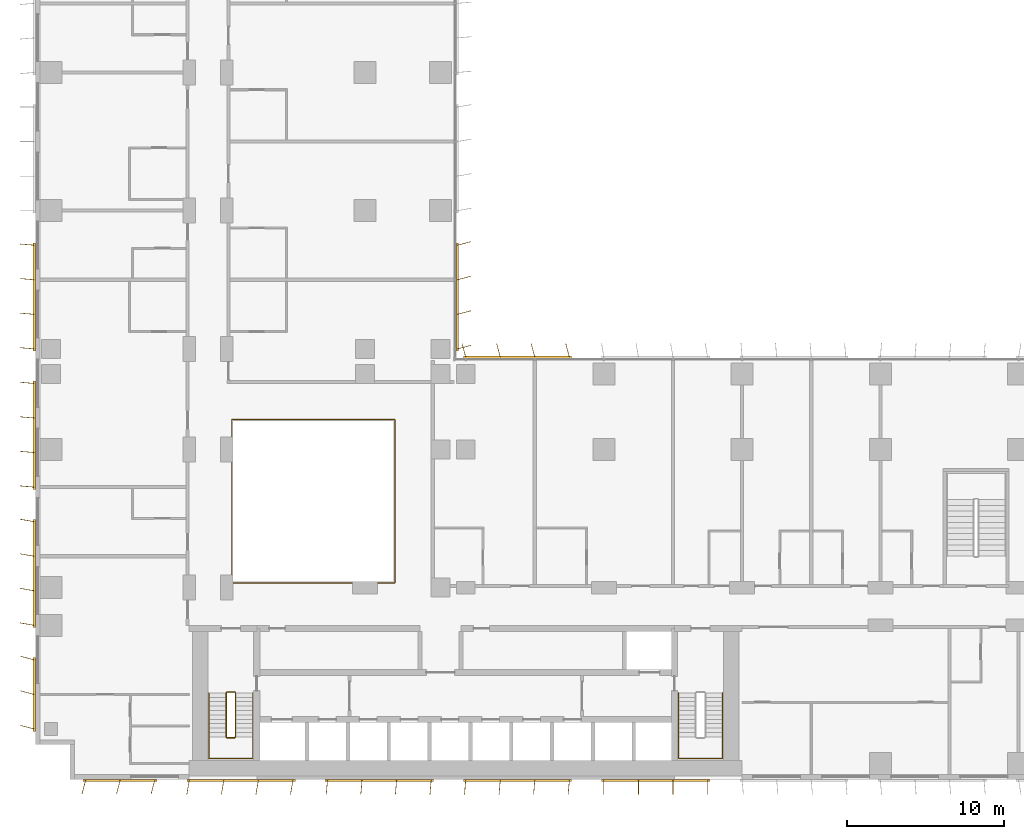
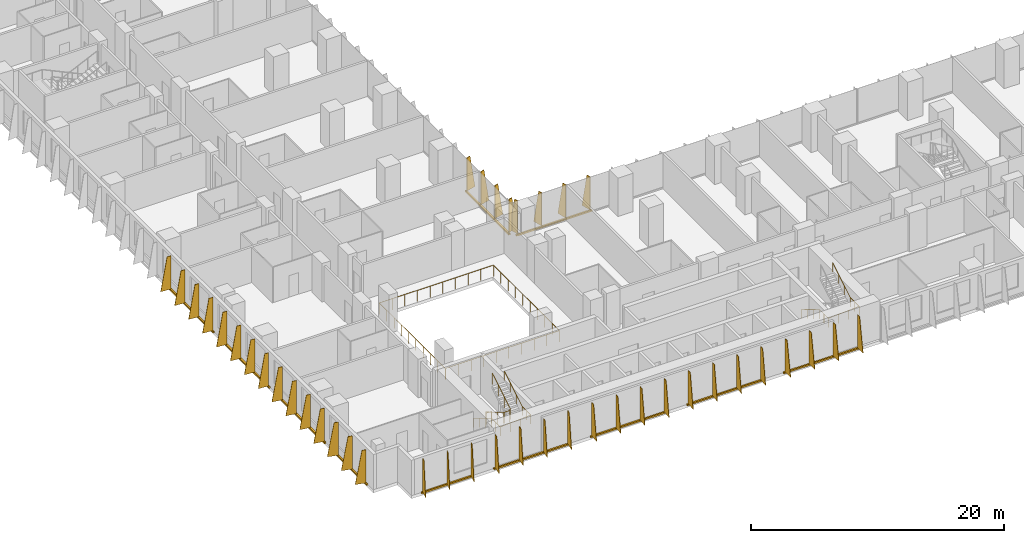
# One storey, part 21 of 24: 11 shading devices, 4 railings.
"""IFC4 building model written with IfcOpenShell, lengths in metres."""

from ifc_helpers import new_model, si_unit, direction, frame, origin, origin_2d, place, context, subcontext, project, spatial, polyline, rectangle, circle, outline, extrude, source, transform, mapped, material, layer, layer_set, type_object, element, save


model = new_model("IFC4")

# Units and contexts
model_context = context("Model", 3, precision=1e-05, world=origin(), true_north=direction((0.0, 1.0)))
body_context = subcontext(model_context, "Body", "Model", "MODEL_VIEW")
ifc_project = project(units=[si_unit("LENGTHUNIT", "METRE"), si_unit("AREAUNIT", "SQUARE_METRE"), si_unit("VOLUMEUNIT", "CUBIC_METRE"), si_unit("PLANEANGLEUNIT", "RADIAN"), si_unit("MASSUNIT", "GRAM", prefix="KILO")], contexts=[model_context])

# Site, building, storey
site_placement = place(None, origin())
site = spatial("IfcSite", under=ifc_project, at=site_placement, CompositionType="ELEMENT")
building_placement = place(site_placement, origin())
building = spatial("IfcBuilding", under=site, at=building_placement, Name="Kemantara Hotel Tower", CompositionType="ELEMENT")
storey_placement = place(building_placement, frame((0.0, 0.0, 52.5)))
storey = spatial("IfcBuildingStorey", under=building, at=storey_placement, Name="L11", CompositionType="ELEMENT", Elevation=52.5)

# Railings
ifc_material_1 = material(Name="Stainless steel and laminated glass balustrade", Category="steel")
railing_type_1 = type_object("IfcRailingType", Name="ATRIUM GUARD 1100", PredefinedType="GUARDRAIL", material=ifc_material_1)
railing_1_placement = place(storey_placement, frame((12.56005859375, 12.5, 0.0)))
element("IfcRailing", 1, at=railing_1_placement, inside=storey, type_object=railing_type_1, Name="ATRIUM GUARD L11", PredefinedType="GUARDRAIL", context=body_context, shape_type="SweptSolid", body=[
    extrude(circle(Radius=0.02490234375, at=origin_2d()), frame((0.0, 0.0, 1.0751953125), z_axis=(1.0, 0.0, 0.0), x_axis=(0.0, 1.0, 0.0)), (0.0, 0.0, 1.0), 10.33984375),
    extrude(circle(Radius=0.02490234375, at=origin_2d()), frame((10.33984375, 0.0, 1.0751953125), z_axis=(0.0, 1.0, 0.0), x_axis=(-1.0, 0.0, 0.0)), (0.0, 0.0, 1.0), 10.39990234375),
    extrude(circle(Radius=0.02490234375, at=origin_2d()), frame((10.33984375, 10.39990234375, 1.0751953125), z_axis=(-1.0, 0.0, 0.0), x_axis=(0.0, -1.0, 0.0)), (0.0, 0.0, 1.0), 10.39990234375),
    extrude(circle(Radius=0.02490234375, at=origin_2d()), frame((-0.06005859375, 10.39990234375, 1.0751953125), z_axis=(0.0, -1.0, 0.0), x_axis=(1.0, 0.0, 0.0)), (0.0, 0.0, 1.0), 10.39990234375),
    extrude(circle(Radius=0.02001953125, at=origin_2d()), origin(), (0.0, 0.0, 1.0), 1.050048828125),
    extrude(circle(Radius=0.02001953125, at=origin_2d()), frame((1.14892578125, 0.0, 0.0)), (0.0, 0.0, 1.0), 1.050048828125),
    extrude(circle(Radius=0.02001953125, at=origin_2d()), frame((2.2978515625, 0.0, 0.0)), (0.0, 0.0, 1.0), 1.050048828125),
    extrude(circle(Radius=0.02001953125, at=origin_2d()), frame((3.446533203125, 0.0, 0.0)), (0.0, 0.0, 1.0), 1.050048828125),
    extrude(circle(Radius=0.02001953125, at=origin_2d()), frame((4.595458984375, 0.0, 0.0)), (0.0, 0.0, 1.0), 1.050048828125),
    extrude(circle(Radius=0.02001953125, at=origin_2d()), frame((5.744384765625, 0.0, 0.0)), (0.0, 0.0, 1.0), 1.050048828125),
    extrude(circle(Radius=0.02001953125, at=origin_2d()), frame((6.893310546875, 0.0, 0.0)), (0.0, 0.0, 1.0), 1.050048828125),
    extrude(circle(Radius=0.02001953125, at=origin_2d()), frame((8.0419921875, 0.0, 0.0)), (0.0, 0.0, 1.0), 1.050048828125),
    extrude(circle(Radius=0.02001953125, at=origin_2d()), frame((9.19091796875, 0.0, 0.0)), (0.0, 0.0, 1.0), 1.050048828125),
    extrude(circle(Radius=0.02001953125, at=origin_2d()), frame((10.33984375, 0.0, 0.0)), (0.0, 0.0, 1.0), 1.050048828125),
    extrude(circle(Radius=0.02001953125, at=origin_2d()), frame((10.33984375, 1.155517578125, 0.0)), (0.0, 0.0, 1.0), 1.050048828125),
    extrude(circle(Radius=0.02001953125, at=origin_2d()), frame((10.33984375, 2.31103515625, 0.0)), (0.0, 0.0, 1.0), 1.050048828125),
    extrude(circle(Radius=0.02001953125, at=origin_2d()), frame((10.33984375, 3.466552734375, 0.0)), (0.0, 0.0, 1.0), 1.050048828125),
    extrude(circle(Radius=0.02001953125, at=origin_2d()), frame((10.33984375, 4.6220703125, 0.0)), (0.0, 0.0, 1.0), 1.050048828125),
    extrude(circle(Radius=0.02001953125, at=origin_2d()), frame((10.33984375, 5.77783203125, 0.0)), (0.0, 0.0, 1.0), 1.050048828125),
    extrude(circle(Radius=0.02001953125, at=origin_2d()), frame((10.33984375, 6.933349609375, 0.0)), (0.0, 0.0, 1.0), 1.050048828125),
    extrude(circle(Radius=0.02001953125, at=origin_2d()), frame((10.33984375, 8.0888671875, 0.0)), (0.0, 0.0, 1.0), 1.050048828125),
    extrude(circle(Radius=0.02001953125, at=origin_2d()), frame((10.33984375, 9.244384765625, 0.0)), (0.0, 0.0, 1.0), 1.050048828125),
    extrude(circle(Radius=0.02001953125, at=origin_2d()), frame((10.33984375, 10.39990234375, 0.0)), (0.0, 0.0, 1.0), 1.050048828125),
    extrude(circle(Radius=0.02001953125, at=origin_2d()), frame((9.184326171875, 10.39990234375, 0.0)), (0.0, 0.0, 1.0), 1.050048828125),
    extrude(circle(Radius=0.02001953125, at=origin_2d()), frame((8.02880859375, 10.39990234375, 0.0)), (0.0, 0.0, 1.0), 1.050048828125),
    extrude(circle(Radius=0.02001953125, at=origin_2d()), frame((6.873291015625, 10.39990234375, 0.0)), (0.0, 0.0, 1.0), 1.050048828125),
    extrude(circle(Radius=0.02001953125, at=origin_2d()), frame((5.7177734375, 10.39990234375, 0.0)), (0.0, 0.0, 1.0), 1.050048828125),
    extrude(circle(Radius=0.02001953125, at=origin_2d()), frame((4.56201171875, 10.39990234375, 0.0)), (0.0, 0.0, 1.0), 1.050048828125),
    extrude(circle(Radius=0.02001953125, at=origin_2d()), frame((3.406494140625, 10.39990234375, 0.0)), (0.0, 0.0, 1.0), 1.050048828125),
    extrude(circle(Radius=0.02001953125, at=origin_2d()), frame((2.2509765625, 10.39990234375, 0.0)), (0.0, 0.0, 1.0), 1.050048828125),
    extrude(circle(Radius=0.02001953125, at=origin_2d()), frame((1.095458984375, 10.39990234375, 0.0)), (0.0, 0.0, 1.0), 1.050048828125),
    extrude(circle(Radius=0.02001953125, at=origin_2d()), frame((-0.06005859375, 10.39990234375, 0.0)), (0.0, 0.0, 1.0), 1.050048828125),
    extrude(circle(Radius=0.02001953125, at=origin_2d()), frame((-0.06005859375, 9.244384765625, 0.0)), (0.0, 0.0, 1.0), 1.050048828125),
    extrude(circle(Radius=0.02001953125, at=origin_2d()), frame((-0.06005859375, 8.0888671875, 0.0)), (0.0, 0.0, 1.0), 1.050048828125),
    extrude(circle(Radius=0.02001953125, at=origin_2d()), frame((-0.06005859375, 6.933349609375, 0.0)), (0.0, 0.0, 1.0), 1.050048828125),
    extrude(circle(Radius=0.02001953125, at=origin_2d()), frame((-0.06005859375, 5.77783203125, 0.0)), (0.0, 0.0, 1.0), 1.050048828125),
    extrude(circle(Radius=0.02001953125, at=origin_2d()), frame((-0.06005859375, 4.6220703125, 0.0)), (0.0, 0.0, 1.0), 1.050048828125),
    extrude(circle(Radius=0.02001953125, at=origin_2d()), frame((-0.06005859375, 3.466552734375, 0.0)), (0.0, 0.0, 1.0), 1.050048828125),
    extrude(circle(Radius=0.02001953125, at=origin_2d()), frame((-0.06005859375, 2.31103515625, 0.0)), (0.0, 0.0, 1.0), 1.050048828125),
    extrude(circle(Radius=0.02001953125, at=origin_2d()), frame((-0.06005859375, 1.155517578125, 0.0)), (0.0, 0.0, 1.0), 1.050048828125),
    extrude(circle(Radius=0.02001953125, at=origin_2d()), frame((-0.06005859375, 0.0, 0.0)), (0.0, 0.0, 1.0), 1.050048828125),
])
ifc_material_2 = material(Name="Stainless steel balustrade", Category="steel")
railing_type_2 = type_object("IfcRailingType", Name="Stair guard 1100 mm", PredefinedType="GUARDRAIL", material=ifc_material_2)
railing_2_placement = place(storey_placement, frame((12.75, 5.5, 3.699951171875)))
element("IfcRailing", 2, at=railing_2_placement, inside=storey, type_object=railing_type_2, Name="L11 ST1 stair guard 1", PredefinedType="GUARDRAIL", context=body_context, shape_type="SweptSolid", body=[
    extrude(circle(Radius=0.02392578125, at=origin_2d()), frame((0.0, 0.0, 1.076171875), z_axis=(0.0, -0.857242210791, -0.514913383045), x_axis=(1.0, 0.0, 0.0)), (0.0, 0.0, 1.0), 3.266357421875),
    extrude(circle(Radius=0.02392578125, at=origin_2d()), frame((0.0, -2.800048828125, -0.60595703125), z_axis=(-0.274582412415, -0.274582412415, -0.921525364591), x_axis=(0.707106781187, -0.707106781187, 0.0)), (0.0, 0.0, 1.0), 0.182373046875),
    extrude(circle(Radius=0.02392578125, at=origin_2d()), frame((-0.050048828125, -2.85009765625, -0.77392578125), z_axis=(-1.0, 0.0, 0.0), x_axis=(0.0, -1.0, 0.0)), (0.0, 0.0, 1.0), 0.5),
    extrude(circle(Radius=0.02392578125, at=origin_2d()), frame((-0.550048828125, -2.85009765625, -0.77392578125), z_axis=(-0.707106781187, 0.707106781187, 0.0), x_axis=(-0.707106781187, -0.707106781187, 0.0)), (0.0, 0.0, 1.0), 0.07080078125),
    extrude(circle(Radius=0.02392578125, at=origin_2d()), frame((-0.60009765625, -2.800048828125, -0.77392578125), z_axis=(0.0, 0.857242210791, -0.514913383045), x_axis=(-1.0, 0.0, 0.0)), (0.0, 0.0, 1.0), 3.266357421875),
    extrude(circle(Radius=0.02392578125, at=origin_2d()), frame((-0.60009765625, 0.0, -2.45556640625), z_axis=(0.274243871929, 0.274243871929, -0.92172696468), x_axis=(-0.707106781187, 0.707106781187, 0.0)), (0.0, 0.0, 1.0), 0.1826171875),
    extrude(circle(Radius=0.02392578125, at=origin_2d()), frame((-0.550048828125, 0.050048828125, -2.6240234375), z_axis=(1.0, 0.0, 0.0), x_axis=(0.0, 1.0, 0.0)), (0.0, 0.0, 1.0), 0.5),
    extrude(circle(Radius=0.02099609375, at=origin_2d()), origin(), (0.0, 0.0, 1.0), 1.052001953125),
    extrude(circle(Radius=0.02099609375, at=origin_2d()), frame((0.0, -0.933349609375, -0.560546875)), (0.0, 0.0, 1.0), 1.052001953125),
    extrude(circle(Radius=0.02099609375, at=origin_2d()), frame((0.0, -1.86669921875, -1.121337890625)), (0.0, 0.0, 1.0), 1.052001953125),
    extrude(circle(Radius=0.02099609375, at=origin_2d()), frame((0.0, -2.800048828125, -1.681884765625)), (0.0, 0.0, 1.0), 1.052001953125),
    extrude(circle(Radius=0.02099609375, at=origin_2d()), frame((-0.050048828125, -2.85009765625, -1.849853515625)), (0.0, 0.0, 1.0), 1.052001953125),
    extrude(circle(Radius=0.02099609375, at=origin_2d()), frame((-0.550048828125, -2.85009765625, -1.849853515625)), (0.0, 0.0, 1.0), 1.052001953125),
    extrude(circle(Radius=0.02099609375, at=origin_2d()), frame((-0.60009765625, -2.800048828125, -1.849853515625)), (0.0, 0.0, 1.0), 1.052001953125),
    extrude(circle(Radius=0.02099609375, at=origin_2d()), frame((-0.60009765625, -1.86669921875, -2.410400390625)), (0.0, 0.0, 1.0), 1.052001953125),
    extrude(circle(Radius=0.02099609375, at=origin_2d()), frame((-0.60009765625, -0.933349609375, -2.97119140625)), (0.0, 0.0, 1.0), 1.052001953125),
    extrude(circle(Radius=0.02099609375, at=origin_2d()), frame((-0.60009765625, 0.0, -3.53173828125)), (0.0, 0.0, 1.0), 1.052001953125),
    extrude(circle(Radius=0.02099609375, at=origin_2d()), frame((-0.550048828125, 0.050048828125, -3.699951171875)), (0.0, 0.0, 1.0), 1.052001953125),
    extrude(circle(Radius=0.02099609375, at=origin_2d()), frame((-0.050048828125, 0.050048828125, -3.699951171875)), (0.0, 0.0, 1.0), 1.052001953125),
])
railing_type_3 = type_object("IfcRailingType", Name="Stair handrail 900 mm", PredefinedType="HANDRAIL", material=ifc_material_2)
railing_3_placement = place(storey_placement, frame((11.050048828125, 5.5, 0.168212890625)))
element("IfcRailing", 3, at=railing_3_placement, inside=storey, type_object=railing_type_3, Name="L11 ST1 stair handrail 1", PredefinedType="HANDRAIL", context=body_context, shape_type="SweptSolid", body=[
    extrude(circle(Radius=0.02392578125, at=origin_2d()), frame((0.0, 0.0, 0.8759765625), z_axis=(0.0, -0.857242210791, 0.514913383045), x_axis=(1.0, 0.0, 0.0)), (0.0, 0.0, 1.0), 3.266357421875),
    extrude(circle(Radius=0.02392578125, at=origin_2d()), frame((0.0, -2.800048828125, 2.5576171875), z_axis=(0.0, -1.0, 0.0), x_axis=(1.0, 0.0, 0.0)), (0.0, 0.0, 1.0), 1.3798828125),
    extrude(circle(Radius=0.02392578125, at=origin_2d()), frame((0.0, -4.179931640625, 2.5576171875), z_axis=(0.998205573864, 0.0, 0.059880149518), x_axis=(0.0, 1.0, 0.0)), (0.0, 0.0, 1.0), 2.80517578125),
    extrude(circle(Radius=0.02392578125, at=origin_2d()), frame((2.800048828125, -4.179931640625, 2.7255859375), z_axis=(0.0, 1.0, 0.0), x_axis=(-1.0, 0.0, 0.0)), (0.0, 0.0, 1.0), 1.3798828125),
    extrude(circle(Radius=0.02392578125, at=origin_2d()), frame((2.800048828125, -2.800048828125, 2.7255859375), z_axis=(0.0, 0.857242210791, 0.514913383045), x_axis=(-1.0, 0.0, 0.0)), (0.0, 0.0, 1.0), 3.266357421875),
    extrude(circle(Radius=0.02099609375, at=origin_2d()), origin(), (0.0, 0.0, 1.0), 0.851806640625),
    extrude(circle(Radius=0.02099609375, at=origin_2d()), frame((0.0, -0.933349609375, 0.560546875)), (0.0, 0.0, 1.0), 0.851806640625),
    extrude(circle(Radius=0.02099609375, at=origin_2d()), frame((0.0, -1.86669921875, 1.121337890625)), (0.0, 0.0, 1.0), 0.851806640625),
    extrude(circle(Radius=0.02099609375, at=origin_2d()), frame((0.0, -2.800048828125, 1.681884765625)), (0.0, 0.0, 1.0), 0.851806640625),
    extrude(circle(Radius=0.02099609375, at=origin_2d()), frame((0.0, -3.489990234375, 1.681884765625)), (0.0, 0.0, 1.0), 0.851806640625),
    extrude(circle(Radius=0.02099609375, at=origin_2d()), frame((0.0, -4.179931640625, 1.681884765625)), (0.0, 0.0, 1.0), 0.851806640625),
    extrude(circle(Radius=0.02099609375, at=origin_2d()), frame((0.933349609375, -4.179931640625, 1.73779296875)), (0.0, 0.0, 1.0), 0.851806640625),
    extrude(circle(Radius=0.02099609375, at=origin_2d()), frame((1.86669921875, -4.179931640625, 1.7939453125)), (0.0, 0.0, 1.0), 0.851806640625),
    extrude(circle(Radius=0.02099609375, at=origin_2d()), frame((2.800048828125, -4.179931640625, 1.849853515625)), (0.0, 0.0, 1.0), 0.851806640625),
    extrude(circle(Radius=0.02099609375, at=origin_2d()), frame((2.800048828125, -3.489990234375, 1.849853515625)), (0.0, 0.0, 1.0), 0.851806640625),
    extrude(circle(Radius=0.02099609375, at=origin_2d()), frame((2.800048828125, -2.800048828125, 1.849853515625)), (0.0, 0.0, 1.0), 0.851806640625),
    extrude(circle(Radius=0.02099609375, at=origin_2d()), frame((2.800048828125, -1.86669921875, 2.410400390625)), (0.0, 0.0, 1.0), 0.851806640625),
    extrude(circle(Radius=0.02099609375, at=origin_2d()), frame((2.800048828125, -0.933349609375, 2.97119140625)), (0.0, 0.0, 1.0), 0.851806640625),
    extrude(circle(Radius=0.02099609375, at=origin_2d()), frame((2.800048828125, 0.0, 3.53173828125)), (0.0, 0.0, 1.0), 0.851806640625),
])
railing_4_placement = place(storey_placement, frame((40.949951171875, 5.5, 0.168212890625)))
element("IfcRailing", 4, at=railing_4_placement, inside=storey, type_object=railing_type_3, Name="L11 ST2 stair handrail 1", PredefinedType="HANDRAIL", context=body_context, shape_type="SweptSolid", body=[
    extrude(circle(Radius=0.02392578125, at=origin_2d()), frame((0.0, 0.0, 0.8759765625), z_axis=(0.0, -0.857242210791, 0.514913383045), x_axis=(1.0, 0.0, 0.0)), (0.0, 0.0, 1.0), 3.266357421875),
    extrude(circle(Radius=0.02392578125, at=origin_2d()), frame((0.0, -2.800048828125, 2.5576171875), z_axis=(0.0, -1.0, 0.0), x_axis=(1.0, 0.0, 0.0)), (0.0, 0.0, 1.0), 1.3798828125),
    extrude(circle(Radius=0.02392578125, at=origin_2d()), frame((0.0, -4.179931640625, 2.5576171875), z_axis=(0.998205573864, 0.0, 0.059880149518), x_axis=(0.0, 1.0, 0.0)), (0.0, 0.0, 1.0), 2.80517578125),
    extrude(circle(Radius=0.02392578125, at=origin_2d()), frame((2.800048828125, -4.179931640625, 2.7255859375), z_axis=(0.0, 1.0, 0.0), x_axis=(-1.0, 0.0, 0.0)), (0.0, 0.0, 1.0), 1.3798828125),
    extrude(circle(Radius=0.02392578125, at=origin_2d()), frame((2.800048828125, -2.800048828125, 2.7255859375), z_axis=(0.0, 0.857242210791, 0.514913383045), x_axis=(-1.0, 0.0, 0.0)), (0.0, 0.0, 1.0), 3.266357421875),
    extrude(circle(Radius=0.02099609375, at=origin_2d()), origin(), (0.0, 0.0, 1.0), 0.851806640625),
    extrude(circle(Radius=0.02099609375, at=origin_2d()), frame((0.0, -0.933349609375, 0.560546875)), (0.0, 0.0, 1.0), 0.851806640625),
    extrude(circle(Radius=0.02099609375, at=origin_2d()), frame((0.0, -1.86669921875, 1.121337890625)), (0.0, 0.0, 1.0), 0.851806640625),
    extrude(circle(Radius=0.02099609375, at=origin_2d()), frame((0.0, -2.800048828125, 1.681884765625)), (0.0, 0.0, 1.0), 0.851806640625),
    extrude(circle(Radius=0.02099609375, at=origin_2d()), frame((0.0, -3.489990234375, 1.681884765625)), (0.0, 0.0, 1.0), 0.851806640625),
    extrude(circle(Radius=0.02099609375, at=origin_2d()), frame((0.0, -4.179931640625, 1.681884765625)), (0.0, 0.0, 1.0), 0.851806640625),
    extrude(circle(Radius=0.02099609375, at=origin_2d()), frame((0.933349609375, -4.179931640625, 1.73779296875)), (0.0, 0.0, 1.0), 0.851806640625),
    extrude(circle(Radius=0.02099609375, at=origin_2d()), frame((1.86669921875, -4.179931640625, 1.7939453125)), (0.0, 0.0, 1.0), 0.851806640625),
    extrude(circle(Radius=0.02099609375, at=origin_2d()), frame((2.800048828125, -4.179931640625, 1.849853515625)), (0.0, 0.0, 1.0), 0.851806640625),
    extrude(circle(Radius=0.02099609375, at=origin_2d()), frame((2.800048828125, -3.489990234375, 1.849853515625)), (0.0, 0.0, 1.0), 0.851806640625),
    extrude(circle(Radius=0.02099609375, at=origin_2d()), frame((2.800048828125, -2.800048828125, 1.849853515625)), (0.0, 0.0, 1.0), 0.851806640625),
    extrude(circle(Radius=0.02099609375, at=origin_2d()), frame((2.800048828125, -1.86669921875, 2.410400390625)), (0.0, 0.0, 1.0), 0.851806640625),
    extrude(circle(Radius=0.02099609375, at=origin_2d()), frame((2.800048828125, -0.933349609375, 2.97119140625)), (0.0, 0.0, 1.0), 0.851806640625),
    extrude(circle(Radius=0.02099609375, at=origin_2d()), frame((2.800048828125, 0.0, 3.53173828125)), (0.0, 0.0, 1.0), 0.851806640625),
])

# Shading devices
ifc_material_3 = material(Name="Perforated aluminium plate 4 mm bronze anodised", Category="aluminium")
ifc_layer_1 = layer(ifc_material_3, 0.0400390625)
ifc_layer_set_1 = layer_set([ifc_layer_1], Name="Perforated aluminium plate 4 mm bronze anodised")
shading_device_type_1 = type_object("IfcShadingDeviceType", Name="SCREEN FIN CASSETTE, 3 BLADES AT -15.0 DEG, 3200 HIGH", PredefinedType="USERDEFINED", material=ifc_layer_set_1)
shared_shape_1 = source(origin(), body_context, "Body", "SweptSolid", [
    extrude(rectangle(XDim=4.699951171875, YDim=0.14990234375, at=origin_2d()), frame((2.199951171875, -0.074951171875, -0.14990234375), z_axis=(0.0, 0.0, 1.0), x_axis=(1.0, 0.0, 0.0)), (0.0, 0.0, 1.0), 0.14990234375),
    extrude(outline(polyline([(0.0, 0.0), (0.89990234375, 0.0), (0.35009765625, 3.199951171875), (0.0, 3.199951171875), (0.0, 0.0)])), frame((0.019287109375, -0.080078125, 0.0), z_axis=(-0.966437683387, 0.256901156343, 0.0), x_axis=(-0.256901156343, -0.966437683387, 0.0)), (0.0, 0.0, 1.0), 0.039794921875),
    extrude(outline(polyline([(0.0, 0.0), (0.89990234375, 0.0), (0.35009765625, 3.199951171875), (0.0, 3.199951171875), (0.0, 0.0)])), frame((2.21923828125, -0.080078125, 0.0), z_axis=(-0.966437683387, 0.256901156343, 0.0), x_axis=(-0.256901156343, -0.966437683387, 0.0)), (0.0, 0.0, 1.0), 0.039794921875),
    extrude(outline(polyline([(0.0, 0.0), (0.89990234375, 0.0), (0.35009765625, 3.199951171875), (0.0, 3.199951171875), (0.0, 0.0)])), frame((4.41943359375, -0.080078125, 0.0), z_axis=(-0.966837822169, 0.255391122837, 0.0), x_axis=(-0.255391122837, -0.966837822169, 0.0)), (0.0, 0.0, 1.0), 0.0400390625),
])
for number, where, z_axis, x_axis, name in (
    (5, (3.199951171875, 0.0, 0.10009765625), (0.0, 0.0, 1.0), (1.0, 0.0, 0.0), "SCREEN FIN CASSETTE L11 T1-R01-1"),
    (6, (0.0, 7.60009765625, 0.10009765625), (0.0, 0.0, 1.0), (0.0, -1.0, 0.0), "SCREEN FIN CASSETTE L11 T1-R14-9"),
):
    element("IfcShadingDevice", number, at=place(storey_placement, frame(where, z_axis=z_axis, x_axis=x_axis)), inside=storey, type_object=shading_device_type_1, Name=name, ObjectType="SCREEN FIN", PredefinedType="USERDEFINED", context=body_context, shape_type="MappedRepresentation", body=[
        mapped(shared_shape_1, transform((0.0, 0.0, 0.0))),
    ])
ifc_layer_2 = layer(ifc_material_3, 0.0400390625)
ifc_layer_set_2 = layer_set([ifc_layer_2], Name="Perforated aluminium plate 4 mm bronze anodised")
shading_device_type_2 = type_object("IfcShadingDeviceType", Name="SCREEN FIN CASSETTE, 4 BLADES AT -10.0 DEG, 3200 HIGH", PredefinedType="USERDEFINED", material=ifc_layer_set_2)
shared_shape_2 = source(origin(), body_context, "Body", "SweptSolid", [
    extrude(rectangle(XDim=6.89990234375, YDim=0.14990234375, at=origin_2d()), frame((3.300048828125, -0.074951171875, -0.14990234375), z_axis=(0.0, 0.0, 1.0), x_axis=(1.0, 0.0, 0.0)), (0.0, 0.0, 1.0), 0.14990234375),
    extrude(outline(polyline([(0.0, 0.0), (0.89990234375, 0.0), (0.35009765625, 3.199951171875), (0.0, 3.199951171875), (0.0, 0.0)])), frame((0.019775390625, -0.078369140625, 0.0), z_axis=(-0.985389793052, 0.170314285219, 0.0), x_axis=(-0.170314285219, -0.985389793052, 0.0)), (0.0, 0.0, 1.0), 0.0400390625),
    extrude(outline(polyline([(0.0, 0.0), (0.89990234375, 0.0), (0.35009765625, 3.199951171875), (0.0, 3.199951171875), (0.0, 0.0)])), frame((2.2197265625, -0.078369140625, 0.0), z_axis=(-0.98521175482, 0.171341174751, 0.0), x_axis=(-0.171341174751, -0.98521175482, 0.0)), (0.0, 0.0, 1.0), 0.039794921875),
    extrude(outline(polyline([(0.0, 0.0), (0.89990234375, 0.0), (0.35009765625, 3.199951171875), (0.0, 3.199951171875), (0.0, 0.0)])), frame((4.419677734375, -0.078369140625, 0.0), z_axis=(-0.98521175482, 0.171341174751, 0.0), x_axis=(-0.171341174751, -0.98521175482, 0.0)), (0.0, 0.0, 1.0), 0.039794921875),
    extrude(outline(polyline([(0.0, 0.0), (0.89990234375, 0.0), (0.35009765625, 3.199951171875), (0.0, 3.199951171875), (0.0, 0.0)])), frame((6.61962890625, -0.078369140625, 0.0), z_axis=(-0.98521175482, 0.171341174751, 0.0), x_axis=(-0.171341174751, -0.98521175482, 0.0)), (0.0, 0.0, 1.0), 0.039794921875),
])
for number, where, z_axis, x_axis, name in (
    (7, (9.800048828125, 0.0, 0.10009765625), (0.0, 0.0, 1.0), (1.0, 0.0, 0.0), "SCREEN FIN CASSETTE L11 T1-R01-2"),
    (8, (0.0, 16.39990234375, 0.10009765625), (0.0, 0.0, 1.0), (0.0, -1.0, 0.0), "SCREEN FIN CASSETTE L11 T1-R14-8"),
):
    element("IfcShadingDevice", number, at=place(storey_placement, frame(where, z_axis=z_axis, x_axis=x_axis)), inside=storey, type_object=shading_device_type_2, Name=name, ObjectType="SCREEN FIN", PredefinedType="USERDEFINED", context=body_context, shape_type="MappedRepresentation", body=[
        mapped(shared_shape_2, transform((0.0, 0.0, 0.0))),
    ])
ifc_layer_3 = layer(ifc_material_3, 0.0400390625)
ifc_layer_set_3 = layer_set([ifc_layer_3], Name="Perforated aluminium plate 4 mm bronze anodised")
shading_device_type_3 = type_object("IfcShadingDeviceType", Name="SCREEN FIN CASSETTE, 4 BLADES AT -5.0 DEG, 3200 HIGH", PredefinedType="USERDEFINED", material=ifc_layer_set_3)
shared_shape_3 = source(origin(), body_context, "Body", "SweptSolid", [
    extrude(rectangle(XDim=6.89990234375, YDim=0.14990234375, at=origin_2d()), frame((3.300048828125, -0.074951171875, -0.14990234375), z_axis=(0.0, 0.0, 1.0), x_axis=(1.0, 0.0, 0.0)), (0.0, 0.0, 1.0), 0.14990234375),
    extrude(outline(polyline([(0.0, 0.0), (0.89990234375, 0.0), (0.35009765625, 3.199951171875), (0.0, 3.199951171875), (0.0, 0.0)])), frame((0.02001953125, -0.07666015625, 0.0), z_axis=(-0.996376129781, 0.085056498884, 0.0), x_axis=(-0.085056498884, -0.996376129781, 0.0)), (0.0, 0.0, 1.0), 0.040283203125),
    extrude(outline(polyline([(0.0, 0.0), (0.89990234375, 0.0), (0.35009765625, 3.199951171875), (0.0, 3.199951171875), (0.0, 0.0)])), frame((2.219970703125, -0.07666015625, 0.0), z_axis=(-0.996331773833, 0.085574508182, 0.0), x_axis=(-0.085574508182, -0.996331773833, 0.0)), (0.0, 0.0, 1.0), 0.0400390625),
    extrude(outline(polyline([(0.0, 0.0), (0.89990234375, 0.0), (0.35009765625, 3.199951171875), (0.0, 3.199951171875), (0.0, 0.0)])), frame((4.419921875, -0.07666015625, 0.0), z_axis=(-0.996331773833, 0.085574508182, 0.0), x_axis=(-0.085574508182, -0.996331773833, 0.0)), (0.0, 0.0, 1.0), 0.0400390625),
    extrude(outline(polyline([(0.0, 0.0), (0.89990234375, 0.0), (0.35009765625, 3.199951171875), (0.0, 3.199951171875), (0.0, 0.0)])), frame((6.619873046875, -0.07666015625, 0.0), z_axis=(-0.996331773833, 0.085574508182, 0.0), x_axis=(-0.085574508182, -0.996331773833, 0.0)), (0.0, 0.0, 1.0), 0.0400390625),
])
for number, where, z_axis, x_axis, name in (
    (9, (18.60009765625, 0.0, 0.10009765625), (0.0, 0.0, 1.0), (1.0, 0.0, 0.0), "SCREEN FIN CASSETTE L11 T1-R01-3"),
    (10, (27.39990234375, 0.0, 0.10009765625), (0.0, 0.0, 1.0), (1.0, 0.0, 0.0), "SCREEN FIN CASSETTE L11 T1-R01-4"),
    (11, (0.0, 34.0, 0.10009765625), (0.0, 0.0, 1.0), (0.0, -1.0, 0.0), "SCREEN FIN CASSETTE L11 T1-R14-6"),
    (12, (0.0, 25.199951171875, 0.10009765625), (0.0, 0.0, 1.0), (0.0, -1.0, 0.0), "SCREEN FIN CASSETTE L11 T1-R14-7"),
):
    element("IfcShadingDevice", number, at=place(storey_placement, frame(where, z_axis=z_axis, x_axis=x_axis)), inside=storey, type_object=shading_device_type_3, Name=name, ObjectType="SCREEN FIN", PredefinedType="USERDEFINED", context=body_context, shape_type="MappedRepresentation", body=[
        mapped(shared_shape_3, transform((0.0, 0.0, 0.0))),
    ])
ifc_layer_4 = layer(ifc_material_3, 0.0400390625)
ifc_layer_set_4 = layer_set([ifc_layer_4], Name="Perforated aluminium plate 4 mm bronze anodised")
shading_device_type_4 = type_object("IfcShadingDeviceType", Name="SCREEN FIN CASSETTE, 4 BLADES AT +0.0 DEG, 3200 HIGH", PredefinedType="USERDEFINED", material=ifc_layer_set_4)
shared_shape_4 = source(origin(), body_context, "Body", "SweptSolid", [
    extrude(rectangle(XDim=6.89990234375, YDim=0.14990234375, at=origin_2d()), frame((3.300048828125, -0.074951171875, -0.14990234375), z_axis=(0.0, 0.0, 1.0), x_axis=(1.0, 0.0, 0.0)), (0.0, 0.0, 1.0), 0.14990234375),
    extrude(outline(polyline([(0.0, 0.0), (0.89990234375, 0.0), (0.35009765625, 3.199951171875), (0.0, 3.199951171875), (0.0, 0.0)])), frame((0.02001953125, -0.074951171875, 0.0), z_axis=(-1.0, 0.0, 0.0), x_axis=(0.0, -1.0, 0.0)), (0.0, 0.0, 1.0), 0.0400390625),
    extrude(outline(polyline([(0.0, 0.0), (0.89990234375, 0.0), (0.35009765625, 3.199951171875), (0.0, 3.199951171875), (0.0, 0.0)])), frame((2.219970703125, -0.074951171875, 0.0), z_axis=(-1.0, 0.0, 0.0), x_axis=(0.0, -1.0, 0.0)), (0.0, 0.0, 1.0), 0.0400390625),
    extrude(outline(polyline([(0.0, 0.0), (0.89990234375, 0.0), (0.35009765625, 3.199951171875), (0.0, 3.199951171875), (0.0, 0.0)])), frame((4.419921875, -0.074951171875, 0.0), z_axis=(-1.0, 0.0, 0.0), x_axis=(0.0, -1.0, 0.0)), (0.0, 0.0, 1.0), 0.0400390625),
    extrude(outline(polyline([(0.0, 0.0), (0.89990234375, 0.0), (0.35009765625, 3.199951171875), (0.0, 3.199951171875), (0.0, 0.0)])), frame((6.6201171875, -0.074951171875, 0.0), z_axis=(-1.0, 0.0, 0.0), x_axis=(0.0, -1.0, 0.0)), (0.0, 0.0, 1.0), 0.0400390625),
])
shading_device_placement = place(storey_placement, frame((36.199951171875, 0.0, 0.10009765625), z_axis=(0.0, 0.0, 1.0), x_axis=(1.0, 0.0, 0.0)))
element("IfcShadingDevice", 13, at=shading_device_placement, inside=storey, type_object=shading_device_type_4, Name="SCREEN FIN CASSETTE L11 T1-R01-5", ObjectType="SCREEN FIN", PredefinedType="USERDEFINED", context=body_context, shape_type="MappedRepresentation", body=[
    mapped(shared_shape_4, transform((0.0, 0.0, 0.0))),
])
ifc_layer_5 = layer(ifc_material_3, 0.0400390625)
ifc_layer_set_5 = layer_set([ifc_layer_5], Name="Perforated aluminium plate 4 mm bronze anodised")
shading_device_type_5 = type_object("IfcShadingDeviceType", Name="SCREEN FIN CASSETTE, 4 BLADES AT +15.0 DEG, 3200 HIGH", PredefinedType="USERDEFINED", material=ifc_layer_set_5)
shared_shape_5 = source(origin(), body_context, "Body", "SweptSolid", [
    extrude(rectangle(XDim=6.89990234375, YDim=0.14990234375, at=origin_2d()), frame((3.300048828125, -0.074951171875, -0.14990234375), z_axis=(0.0, 0.0, 1.0), x_axis=(1.0, 0.0, 0.0)), (0.0, 0.0, 1.0), 0.14990234375),
    extrude(outline(polyline([(0.0, 0.0), (0.89990234375, 0.0), (0.35009765625, 3.199951171875), (0.0, 3.199951171875), (0.0, 0.0)])), frame((0.019287109375, -0.06982421875, 0.0), z_axis=(-0.966437683387, -0.256901156343, 0.0), x_axis=(0.256901156343, -0.966437683387, 0.0)), (0.0, 0.0, 1.0), 0.039794921875),
    extrude(outline(polyline([(0.0, 0.0), (0.89990234375, 0.0), (0.35009765625, 3.199951171875), (0.0, 3.199951171875), (0.0, 0.0)])), frame((2.21923828125, -0.06982421875, 0.0), z_axis=(-0.966437683387, -0.256901156343, 0.0), x_axis=(0.256901156343, -0.966437683387, 0.0)), (0.0, 0.0, 1.0), 0.039794921875),
    extrude(outline(polyline([(0.0, 0.0), (0.89990234375, 0.0), (0.35009765625, 3.199951171875), (0.0, 3.199951171875), (0.0, 0.0)])), frame((4.41943359375, -0.06982421875, 0.0), z_axis=(-0.966837822169, -0.255391122837, 0.0), x_axis=(0.255391122837, -0.966837822169, 0.0)), (0.0, 0.0, 1.0), 0.0400390625),
    extrude(outline(polyline([(0.0, 0.0), (0.89990234375, 0.0), (0.35009765625, 3.199951171875), (0.0, 3.199951171875), (0.0, 0.0)])), frame((6.619384765625, -0.06982421875, 0.0), z_axis=(-0.966837822169, -0.255391122837, 0.0), x_axis=(0.255391122837, -0.966837822169, 0.0)), (0.0, 0.0, 1.0), 0.0400390625),
])
for number, where, z_axis, x_axis, name in (
    (14, (34.0, 26.800048828125, 0.10009765625), (0.0, 0.0, 1.0), (-1.0, 0.0, 0.0), "SCREEN FIN CASSETTE L11 T1-R07-6"),
    (15, (26.800048828125, 27.39990234375, 0.10009765625), (0.0, 0.0, 1.0), (0.0, 1.0, 0.0), "SCREEN FIN CASSETTE L11 T1-R08-1"),
):
    element("IfcShadingDevice", number, at=place(storey_placement, frame(where, z_axis=z_axis, x_axis=x_axis)), inside=storey, type_object=shading_device_type_5, Name=name, ObjectType="SCREEN FIN", PredefinedType="USERDEFINED", context=body_context, shape_type="MappedRepresentation", body=[
        mapped(shared_shape_5, transform((0.0, 0.0, 0.0))),
    ])

save(model, "model.ifc")
